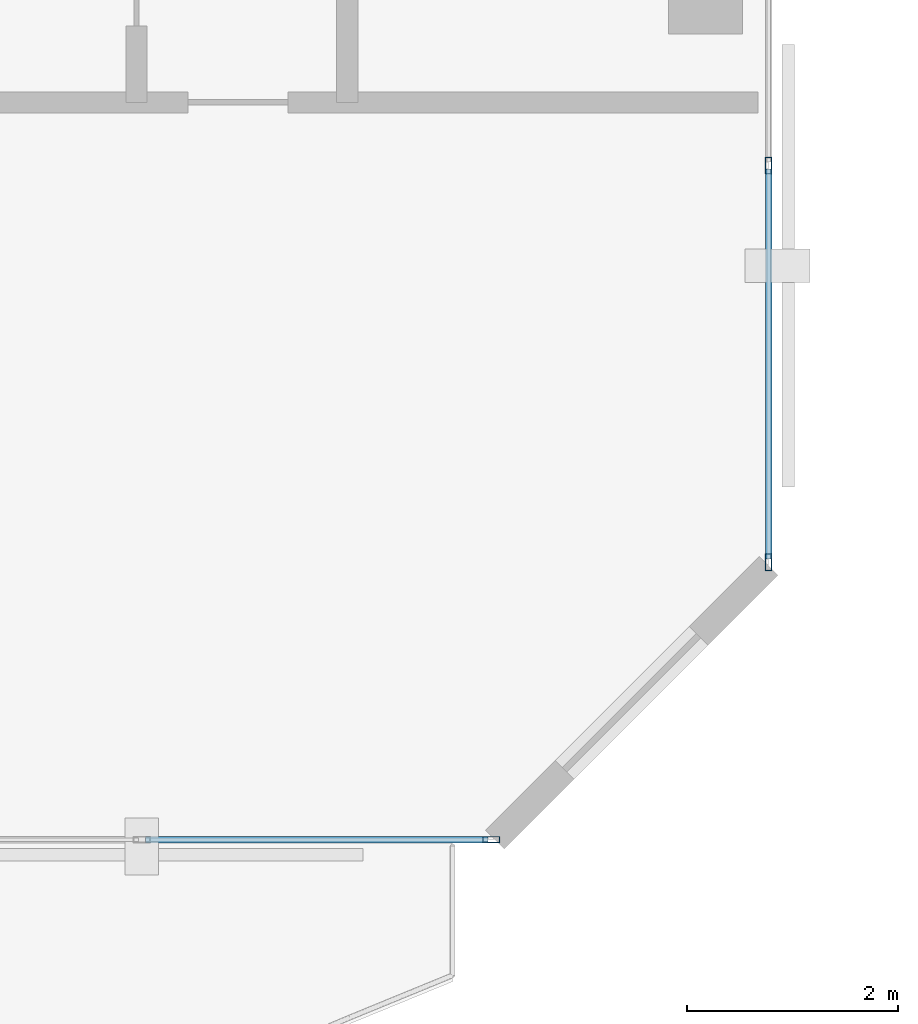
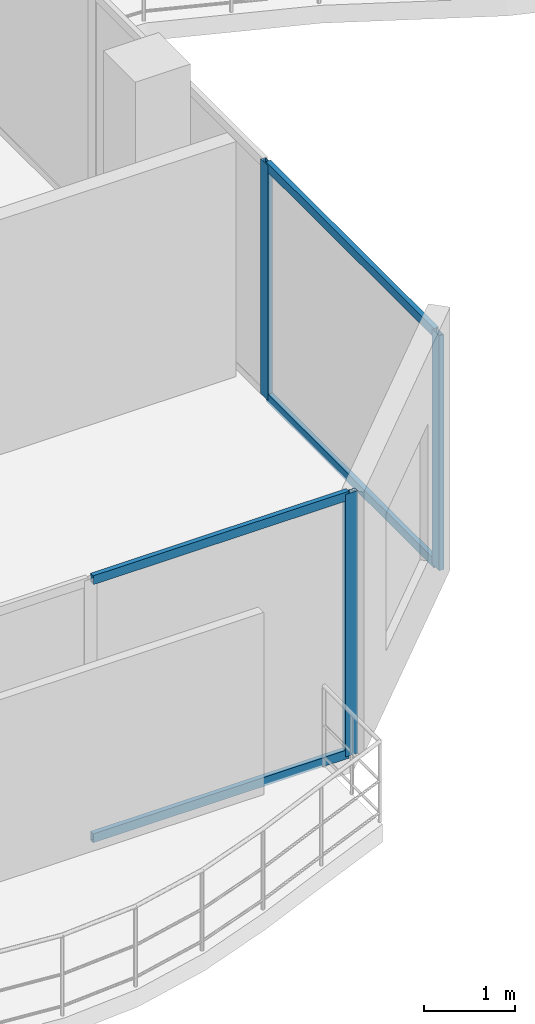
# One storey, part 3 of 18: 7 members, 2 elements without a shape of their own.
"""IFC4 building model written with IfcOpenShell, lengths in metres."""

from ifc_helpers import new_model, si_unit, direction, frame, origin, origin_2d, place, context, subcontext, project, spatial, hollow_rectangle, extrude, material, layer, layer_set, material_profile, profile_set, type_object, element, aggregate, save


model = new_model("IFC4")

# Units and contexts
model_context = context("Model", 3, precision=1e-05, world=origin(), true_north=direction((0.0, 1.0)))
body_context = subcontext(model_context, "Body", "Model", "MODEL_VIEW")
ifc_project = project(units=[si_unit("LENGTHUNIT", "METRE"), si_unit("AREAUNIT", "SQUARE_METRE"), si_unit("VOLUMEUNIT", "CUBIC_METRE"), si_unit("PLANEANGLEUNIT", "RADIAN"), si_unit("MASSUNIT", "GRAM", prefix="KILO")], contexts=[model_context])

# Site, building, storey
site_placement = place(None, origin())
site = spatial("IfcSite", under=ifc_project, at=site_placement, CompositionType="ELEMENT")
building_placement = place(site_placement, origin())
building = spatial("IfcBuilding", under=site, at=building_placement, Name="Catumbela Crestline Tower", CompositionType="ELEMENT")
storey_placement = place(building_placement, frame((0.0, 0.0, 264.0)))
storey = spatial("IfcBuildingStorey", under=building, at=storey_placement, Name="L68", CompositionType="ELEMENT", Elevation=264.0)

# Curtain wall, member
ifc_material = material(Name="Aluminium alloy AW-6060-T66", Category="aluminium")
ifc_layer = layer(ifc_material, 0.18, Name="Aluminium alloy AW-6060-T66")
ifc_layer_set = layer_set([ifc_layer], Name="Aluminium alloy AW-6060-T66")
curtain_wall_type = type_object("IfcCurtainWallType", Name="CWU-Z4", PredefinedType="USERDEFINED", material=ifc_layer_set)
curtain_wall_1_placement = place(storey_placement, origin())
curtain_wall_1 = element("IfcCurtainWall", 1, at=curtain_wall_1_placement, inside=storey, type_object=curtain_wall_type, Name="L68 Unitised Curtain Wall CW-L68-E0S2", ObjectType="UNITISED", PredefinedType="USERDEFINED")
ifc_material_profile_1 = material_profile(ifc_material, hollow_rectangle(XDim=0.06, YDim=0.16, WallThickness=0.004, at=origin_2d()), Name="ALU 160x60x4")
ifc_profile_set_1 = profile_set([ifc_material_profile_1], Name="Aluminium alloy AW-6060-T66")
member_type_1 = type_object("IfcMemberType", Name="MUL-160X60", PredefinedType="MULLION", material=ifc_profile_set_1)
member_1_placement = place(storey_placement, frame((21.3675, 10.0, 0.0), z_axis=(0.0, 0.0, 1.0), x_axis=(0.0, 1.0, 0.0)))
member_1 = element("IfcMember", 2, at=member_1_placement, type_object=member_type_1, Name="CWU-Z4 mullion 3", PredefinedType="MULLION", context=body_context, shape_type="SweptSolid", body=[
    extrude(hollow_rectangle(XDim=0.06, YDim=0.16, WallThickness=0.004, at=origin_2d()), origin(), (0.0, 0.0, 1.0), 3.53),
])

# Curtain wall, members
curtain_wall_2_placement = place(storey_placement, origin())
curtain_wall_2 = element("IfcCurtainWall", 3, at=curtain_wall_2_placement, inside=storey, type_object=curtain_wall_type, Name="L68 Unitised Curtain Wall CW-L68-E2S1", ObjectType="UNITISED", PredefinedType="USERDEFINED")
member_2_placement = place(storey_placement, frame((24.0, 12.6325, 0.0), z_axis=(0.0, 0.0, 1.0), x_axis=(-1.0, 0.0, 0.0)))
member_2 = element("IfcMember", 4, at=member_2_placement, type_object=member_type_1, Name="CWU-Z4 mullion 1", PredefinedType="MULLION", context=body_context, shape_type="SweptSolid", body=[
    extrude(hollow_rectangle(XDim=0.06, YDim=0.16, WallThickness=0.004, at=origin_2d()), origin(), (0.0, 0.0, 1.0), 3.16),
])
member_3_placement = place(storey_placement, frame((24.0, 16.4, 0.0), z_axis=(0.0, 0.0, 1.0), x_axis=(-1.0, 0.0, 0.0)))
member_3 = element("IfcMember", 5, at=member_3_placement, type_object=member_type_1, Name="CWU-Z4 mullion 2", PredefinedType="MULLION", context=body_context, shape_type="SweptSolid", body=[
    extrude(hollow_rectangle(XDim=0.06, YDim=0.16, WallThickness=0.004, at=origin_2d()), origin(), (0.0, 0.0, 1.0), 3.16),
])

# Member
ifc_material_profile_2 = material_profile(ifc_material, hollow_rectangle(XDim=0.06, YDim=0.12, WallThickness=0.0035, at=origin_2d()), Name="ALU 120x60x3.5")
ifc_profile_set_2 = profile_set([ifc_material_profile_2], Name="Aluminium alloy AW-6060-T66")
member_type_2 = type_object("IfcMemberType", Name="TRN-120X60", PredefinedType="USERDEFINED", material=ifc_profile_set_2)
member_4_placement = place(storey_placement, frame((18.0825, 10.0, 0.03), z_axis=(1.0, 0.0, 0.0), x_axis=(0.0, 1.0, 0.0)))
member_4 = element("IfcMember", 6, at=member_4_placement, type_object=member_type_2, Name="CWU-Z4 transom 2.1", ObjectType="TRANSOM", PredefinedType="USERDEFINED", context=body_context, shape_type="SweptSolid", body=[
    extrude(hollow_rectangle(XDim=0.06, YDim=0.12, WallThickness=0.0035, at=origin_2d()), origin(), (0.0, 0.0, 1.0), 3.2525),
])

member_5_placement = place(storey_placement, frame((18.0825, 10.0, 3.5), z_axis=(1.0, 0.0, 0.0), x_axis=(0.0, 1.0, 0.0)))
member_5 = element("IfcMember", 7, at=member_5_placement, type_object=member_type_2, Name="CWU-Z4 transom 2.2", ObjectType="TRANSOM", PredefinedType="USERDEFINED", context=body_context, shape_type="SweptSolid", body=[
    extrude(hollow_rectangle(XDim=0.06, YDim=0.12, WallThickness=0.0035, at=origin_2d()), origin(), (0.0, 0.0, 1.0), 3.2525),
])

aggregate(curtain_wall_1, [member_1, member_4, member_5])

member_6_placement = place(storey_placement, frame((24.0, 12.665, 0.03), z_axis=(0.0, 1.0, 0.0), x_axis=(-1.0, 0.0, 0.0)))
member_6 = element("IfcMember", 8, at=member_6_placement, type_object=member_type_2, Name="CWU-Z4 transom 1.1", ObjectType="TRANSOM", PredefinedType="USERDEFINED", context=body_context, shape_type="SweptSolid", body=[
    extrude(hollow_rectangle(XDim=0.06, YDim=0.12, WallThickness=0.0035, at=origin_2d()), origin(), (0.0, 0.0, 1.0), 3.7025),
])

member_7_placement = place(storey_placement, frame((24.0, 12.665, 3.13), z_axis=(0.0, 1.0, 0.0), x_axis=(-1.0, 0.0, 0.0)))
member_7 = element("IfcMember", 9, at=member_7_placement, type_object=member_type_2, Name="CWU-Z4 transom 1.2", ObjectType="TRANSOM", PredefinedType="USERDEFINED", context=body_context, shape_type="SweptSolid", body=[
    extrude(hollow_rectangle(XDim=0.06, YDim=0.12, WallThickness=0.0035, at=origin_2d()), origin(), (0.0, 0.0, 1.0), 3.7025),
])

aggregate(curtain_wall_2, [member_2, member_3, member_6, member_7])

save(model, "model.ifc")
